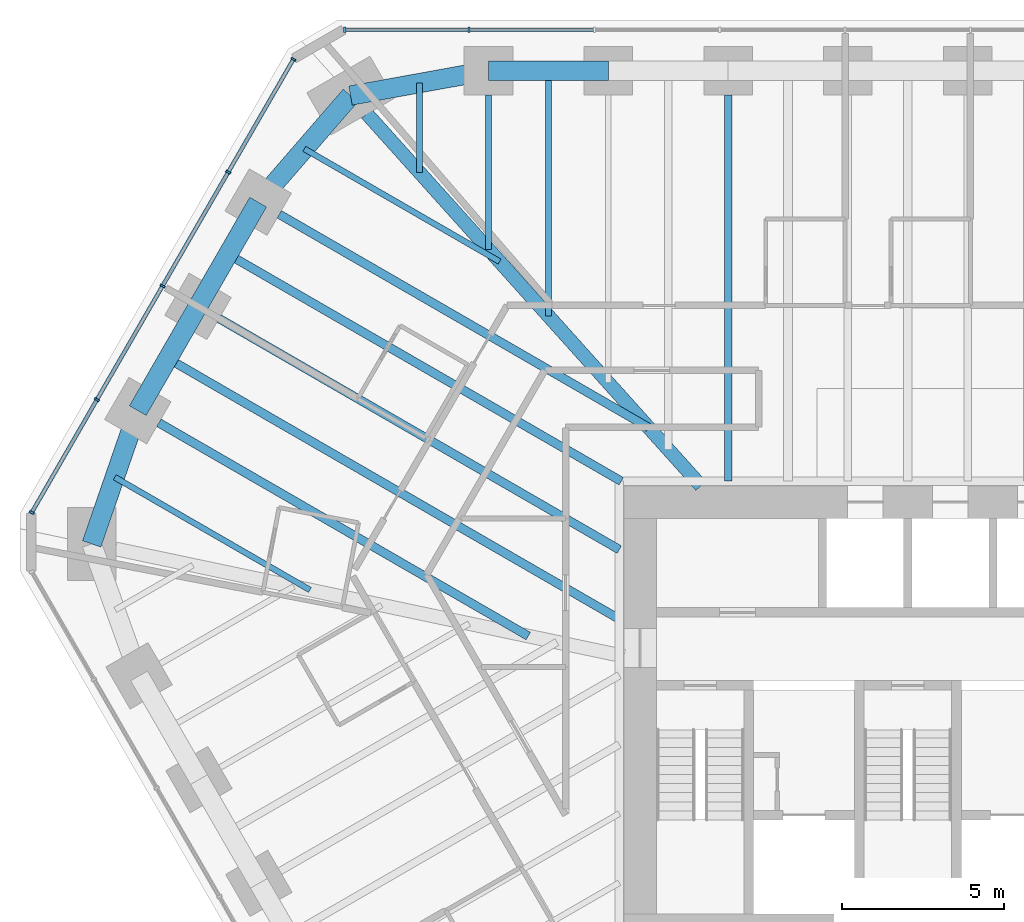
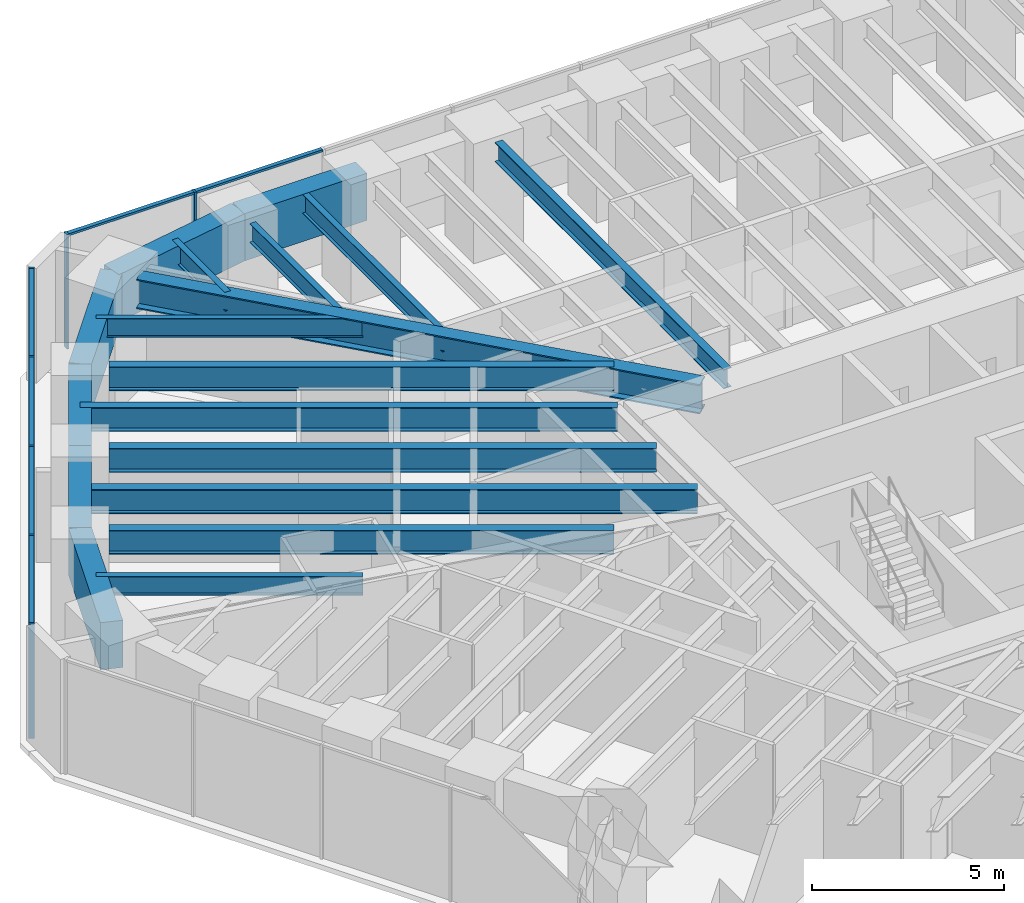
# One storey, part 7 of 16: 18 beams, 13 members, 2 elements without a shape of their own.
"""IFC4 building model written with IfcOpenShell, lengths in metres."""

from ifc_helpers import new_model, si_unit, direction, frame, origin, origin_2d, place, context, subcontext, project, spatial, rectangle, i_section, extrude, material, material_profile, profile_set, type_object, element, aggregate, save


model = new_model("IFC4")

# Units and contexts
model_context = context("Model", 3, precision=1e-05, world=origin(), true_north=direction((0.0, 1.0)))
body_context = subcontext(model_context, "Body", "Model", "MODEL_VIEW")
ifc_project = project(units=[si_unit("LENGTHUNIT", "METRE"), si_unit("AREAUNIT", "SQUARE_METRE"), si_unit("VOLUMEUNIT", "CUBIC_METRE"), si_unit("PLANEANGLEUNIT", "RADIAN"), si_unit("MASSUNIT", "GRAM", prefix="KILO")], contexts=[model_context])

# Site, building, storey
site_placement = place(None, origin())
site = spatial("IfcSite", under=ifc_project, at=site_placement, CompositionType="ELEMENT")
building_placement = place(site_placement, origin())
building = spatial("IfcBuilding", under=site, at=building_placement, Name="Sandreach Pilgrim Tower", CompositionType="ELEMENT")
storey_placement = place(building_placement, frame((0.0, 0.0, 190.800048828125)))
storey = spatial("IfcBuildingStorey", under=building, at=storey_placement, Name="L47", CompositionType="ELEMENT", Elevation=190.800048828125)

# Curtain wall, members
ifc_material_1 = material(Name="Aluminium framed curtain wall", Category="aluminium")
curtain_wall_type = type_object("IfcCurtainWallType", Name="Upper hotel tower curtain wall", PredefinedType="NOTDEFINED", material=ifc_material_1)
curtain_wall_1_placement = place(storey_placement, origin())
curtain_wall_1 = element("IfcCurtainWall", 1, at=curtain_wall_1_placement, inside=storey, type_object=curtain_wall_type, Name="CW-3 L47 N", PredefinedType="NOTDEFINED")
ifc_material_2 = material(Name="Aluminium extrusion", Category="aluminium")
ifc_material_profile_1 = material_profile(ifc_material_2, rectangle(XDim=0.06494140625, YDim=0.159912109375, at=origin_2d()), Name="CW-3M 65X160")
ifc_profile_set_1 = profile_set([ifc_material_profile_1], Name="Aluminium extrusion")
member_type_1 = type_object("IfcMemberType", Name="CW-3 mullion", PredefinedType="MULLION", material=ifc_profile_set_1)
member_1_placement = place(storey_placement, frame((-17.357421875, 21.16015625, 0.0), z_axis=(0.0, 0.0, 1.0), x_axis=(1.0, 0.0, 0.0)))
member_1 = element("IfcMember", 2, at=member_1_placement, type_object=member_type_1, Name="CW-3 mullion 1", PredefinedType="MULLION", context=body_context, shape_type="SweptSolid", body=[
    extrude(rectangle(XDim=0.06494140625, YDim=0.159912109375, at=origin_2d()), origin(), (0.0, 0.0, 1.0), 3.639892578125),
])
member_2_placement = place(storey_placement, frame((-13.525390625, 21.16015625, 0.0), z_axis=(0.0, 0.0, 1.0), x_axis=(1.0, 0.0, 0.0)))
member_2 = element("IfcMember", 3, at=member_2_placement, type_object=member_type_1, Name="CW-3 mullion 2", PredefinedType="MULLION", context=body_context, shape_type="SweptSolid", body=[
    extrude(rectangle(XDim=0.06494140625, YDim=0.159912109375, at=origin_2d()), origin(), (0.0, 0.0, 1.0), 3.639892578125),
])

curtain_wall_2_placement = place(storey_placement, origin())
curtain_wall_2 = element("IfcCurtainWall", 4, at=curtain_wall_2_placement, inside=storey, type_object=curtain_wall_type, Name="CW-3 L47 NW", PredefinedType="NOTDEFINED")
member_3_placement = place(storey_placement, frame((-27.00390625, 6.278076171875, 0.0), z_axis=(0.0, 0.0, 1.0), x_axis=(0.5, 0.866025403784, 0.0)))
member_3 = element("IfcMember", 5, at=member_3_placement, type_object=member_type_1, Name="CW-3 mullion 1", PredefinedType="MULLION", context=body_context, shape_type="SweptSolid", body=[
    extrude(rectangle(XDim=0.06494140625, YDim=0.159912109375, at=origin_2d()), origin(), (0.0, 0.0, 1.0), 3.639892578125),
])
member_4_placement = place(storey_placement, frame((-24.995849609375, 9.75634765625, 0.0), z_axis=(0.0, 0.0, 1.0), x_axis=(0.5, 0.866025403784, 0.0)))
member_4 = element("IfcMember", 6, at=member_4_placement, type_object=member_type_1, Name="CW-3 mullion 2", PredefinedType="MULLION", context=body_context, shape_type="SweptSolid", body=[
    extrude(rectangle(XDim=0.06494140625, YDim=0.159912109375, at=origin_2d()), origin(), (0.0, 0.0, 1.0), 3.639892578125),
])
member_5_placement = place(storey_placement, frame((-22.971435546875, 13.262451171875, 0.0), z_axis=(0.0, 0.0, 1.0), x_axis=(0.5, 0.866025403784, 0.0)))
member_5 = element("IfcMember", 7, at=member_5_placement, type_object=member_type_1, Name="CW-3 mullion 3", PredefinedType="MULLION", context=body_context, shape_type="SweptSolid", body=[
    extrude(rectangle(XDim=0.06494140625, YDim=0.159912109375, at=origin_2d()), origin(), (0.0, 0.0, 1.0), 3.639892578125),
])
member_6_placement = place(storey_placement, frame((-20.947021484375, 16.768798828125, 0.0), z_axis=(0.0, 0.0, 1.0), x_axis=(0.5, 0.866025403784, 0.0)))
member_6 = element("IfcMember", 8, at=member_6_placement, type_object=member_type_1, Name="CW-3 mullion 4", PredefinedType="MULLION", context=body_context, shape_type="SweptSolid", body=[
    extrude(rectangle(XDim=0.06494140625, YDim=0.159912109375, at=origin_2d()), origin(), (0.0, 0.0, 1.0), 3.639892578125),
])
member_7_placement = place(storey_placement, frame((-18.93896484375, 20.2470703125, 0.0), z_axis=(0.0, 0.0, 1.0), x_axis=(0.5, 0.866025403784, 0.0)))
member_7 = element("IfcMember", 9, at=member_7_placement, type_object=member_type_1, Name="CW-3 mullion 5", PredefinedType="MULLION", context=body_context, shape_type="SweptSolid", body=[
    extrude(rectangle(XDim=0.06494140625, YDim=0.159912109375, at=origin_2d()), origin(), (0.0, 0.0, 1.0), 3.639892578125),
])

# Member
ifc_material_3 = material(Name="Aluminium extrusion", Category="aluminium")
ifc_material_profile_2 = material_profile(ifc_material_3, rectangle(XDim=0.1201171875, YDim=0.070068359375, at=origin_2d()), Name="CW-3T 120X70")
ifc_profile_set_2 = profile_set([ifc_material_profile_2], Name="Aluminium extrusion")
member_type_2 = type_object("IfcMemberType", Name="CW-3 transom", PredefinedType="USERDEFINED", material=ifc_profile_set_2)
member_8_placement = place(storey_placement, frame((-17.324951171875, 21.16015625, 3.60498046875), z_axis=(1.0, 0.0, 0.0), x_axis=(0.0, 1.0, 0.0)))
member_8 = element("IfcMember", 10, at=member_8_placement, type_object=member_type_2, Name="CW-3 head transom 1", ObjectType="TRANSOM", PredefinedType="USERDEFINED", context=body_context, shape_type="SweptSolid", body=[
    extrude(rectangle(XDim=0.1201171875, YDim=0.070068359375, at=origin_2d()), origin(), (0.0, 0.0, 1.0), 3.76708984375),
])

member_9_placement = place(storey_placement, frame((-13.492919921875, 21.16015625, 3.60498046875), z_axis=(1.0, 0.0, 0.0), x_axis=(0.0, 1.0, 0.0)))
member_9 = element("IfcMember", 11, at=member_9_placement, type_object=member_type_2, Name="CW-3 head transom 2", ObjectType="TRANSOM", PredefinedType="USERDEFINED", context=body_context, shape_type="SweptSolid", body=[
    extrude(rectangle(XDim=0.1201171875, YDim=0.070068359375, at=origin_2d()), origin(), (0.0, 0.0, 1.0), 3.79931640625),
])

aggregate(curtain_wall_1, [member_1, member_2, member_8, member_9])

member_10_placement = place(storey_placement, frame((-26.987548828125, 6.306396484375, 3.60498046875), z_axis=(0.499993448556, 0.866029186229, 0.0), x_axis=(-0.866029186229, 0.499993448556, 0.0)))
member_10 = element("IfcMember", 12, at=member_10_placement, type_object=member_type_2, Name="CW-3 head transom 1", ObjectType="TRANSOM", PredefinedType="USERDEFINED", context=body_context, shape_type="SweptSolid", body=[
    extrude(rectangle(XDim=0.1201171875, YDim=0.070068359375, at=origin_2d()), origin(), (0.0, 0.0, 1.0), 3.951171875),
])

member_11_placement = place(storey_placement, frame((-24.9794921875, 9.784423828125, 3.60498046875), z_axis=(0.499975332564, 0.866039645067, 0.0), x_axis=(-0.866039645067, 0.499975332564, 0.0)))
member_11 = element("IfcMember", 13, at=member_11_placement, type_object=member_type_2, Name="CW-3 head transom 2", ObjectType="TRANSOM", PredefinedType="USERDEFINED", context=body_context, shape_type="SweptSolid", body=[
    extrude(rectangle(XDim=0.1201171875, YDim=0.070068359375, at=origin_2d()), origin(), (0.0, 0.0, 1.0), 3.983642578125),
])

member_12_placement = place(storey_placement, frame((-22.955078125, 13.290771484375, 3.60498046875), z_axis=(0.499975332564, 0.866039645067, 0.0), x_axis=(-0.866039645067, 0.499975332564, 0.0)))
member_12 = element("IfcMember", 14, at=member_12_placement, type_object=member_type_2, Name="CW-3 head transom 3", ObjectType="TRANSOM", PredefinedType="USERDEFINED", context=body_context, shape_type="SweptSolid", body=[
    extrude(rectangle(XDim=0.1201171875, YDim=0.070068359375, at=origin_2d()), origin(), (0.0, 0.0, 1.0), 3.983642578125),
])

member_13_placement = place(storey_placement, frame((-20.930908203125, 16.796875, 3.60498046875), z_axis=(0.499993448556, 0.866029186229, 0.0), x_axis=(-0.866029186229, 0.499993448556, 0.0)))
member_13 = element("IfcMember", 15, at=member_13_placement, type_object=member_type_2, Name="CW-3 head transom 4", ObjectType="TRANSOM", PredefinedType="USERDEFINED", context=body_context, shape_type="SweptSolid", body=[
    extrude(rectangle(XDim=0.1201171875, YDim=0.070068359375, at=origin_2d()), origin(), (0.0, 0.0, 1.0), 3.951171875),
])

aggregate(curtain_wall_2, [member_3, member_4, member_5, member_6, member_7, member_10, member_11, member_12, member_13])

# Beams
ifc_material_4 = material(Name="Steel ASTM A992 Grade 50", Category="steel")
ifc_material_profile_3 = material_profile(ifc_material_4, i_section(OverallWidth=0.421630859375, OverallDepth=0.937255859375, WebThickness=0.0224609375, FlangeThickness=0.039794921875, at=origin_2d()), Name="W36X282")
ifc_profile_set_3 = profile_set([ifc_material_profile_3], Name="Steel ASTM A992 Grade 50")
beam_type_1 = type_object("IfcBeamType", Name="Corner girder W36X282", PredefinedType="BEAM", material=ifc_profile_set_3)
beam_1_placement = place(storey_placement, frame((-16.677001953125, 18.572509765625, 3.17138671875), z_axis=(0.668116607722, -0.744056582853, 0.0), x_axis=(0.744056582853, 0.668116607722, 0.0)))
element("IfcBeam", 16, at=beam_1_placement, inside=storey, type_object=beam_type_1, Name="BM L47 CG39", PredefinedType="BEAM", context=body_context, shape_type="SweptSolid", body=[
    extrude(i_section(OverallWidth=0.421630859375, OverallDepth=0.937255859375, WebThickness=0.0224609375, FlangeThickness=0.039794921875, at=origin_2d()), origin(), (0.0, 0.0, 1.0), 15.418701171875),
])
ifc_material_5 = material(Name="Steel ASTM A992 Grade 50", Category="steel")
ifc_material_profile_4 = material_profile(ifc_material_5, i_section(OverallWidth=0.1787109375, OverallDepth=0.60205078125, WebThickness=0.010986328125, FlangeThickness=0.014892578125, at=origin_2d()), Name="W24X62")
ifc_profile_set_4 = profile_set([ifc_material_profile_4], Name="Steel ASTM A992 Grade 50")
beam_type_2 = type_object("IfcBeamType", Name="Floor beam W24X62", PredefinedType="BEAM", material=ifc_profile_set_4)
beam_2_placement = place(storey_placement, frame((-12.923828125, 19.150146484375, 3.3388671875), z_axis=(0.0, -1.0, 0.0), x_axis=(1.0, 0.0, 0.0)))
element("IfcBeam", 17, at=beam_2_placement, inside=storey, type_object=beam_type_2, Name="BM L47 F01", PredefinedType="BEAM", context=body_context, shape_type="SweptSolid", body=[
    extrude(i_section(OverallWidth=0.1787109375, OverallDepth=0.60205078125, WebThickness=0.010986328125, FlangeThickness=0.014892578125, at=origin_2d()), origin(), (0.0, 0.0, 1.0), 4.757568359375),
])
beam_3_placement = place(storey_placement, frame((-11.077392578125, 19.900146484375, 3.3388671875), z_axis=(0.0, -1.0, 0.0), x_axis=(1.0, 0.0, 0.0)))
element("IfcBeam", 18, at=beam_3_placement, inside=storey, type_object=beam_type_2, Name="BM L47 FM01", PredefinedType="BEAM", context=body_context, shape_type="SweptSolid", body=[
    extrude(i_section(OverallWidth=0.1787109375, OverallDepth=0.60205078125, WebThickness=0.010986328125, FlangeThickness=0.014892578125, at=origin_2d()), origin(), (0.0, 0.0, 1.0), 7.563720703125),
])
for number, where, z_axis, x_axis, name in (
    (19, (-24.446044921875, 7.365234375, 3.3388671875), (0.866029381593, -0.499993110171, 0.0), (0.499993110171, 0.866029381593, 0.0), "BM L47 FM35"),
    (20, (-18.6015625, 17.48828125, 3.3388671875), (0.866029381593, -0.499993110171, 0.0), (0.499993110171, 0.866029381593, 0.0), "BM L47 FM38"),
):
    element("IfcBeam", number, at=place(storey_placement, frame(where, z_axis=z_axis, x_axis=x_axis)), inside=storey, type_object=beam_type_2, Name=name, PredefinedType="BEAM", context=body_context, shape_type="SweptSolid", body=[
        extrude(i_section(OverallWidth=0.1787109375, OverallDepth=0.60205078125, WebThickness=0.010986328125, FlangeThickness=0.014892578125, at=origin_2d()), origin(), (0.0, 0.0, 1.0), 6.94921875),
    ])
beam_4_placement = place(storey_placement, frame((-15.05078125, 19.515380859375, 3.3388671875), z_axis=(0.0, -1.0, 0.0), x_axis=(1.0, 0.0, 0.0)))
element("IfcBeam", 21, at=beam_4_placement, inside=storey, type_object=beam_type_2, Name="BM L47 FM39", PredefinedType="BEAM", context=body_context, shape_type="SweptSolid", body=[
    extrude(i_section(OverallWidth=0.1787109375, OverallDepth=0.60205078125, WebThickness=0.010986328125, FlangeThickness=0.014892578125, at=origin_2d()), origin(), (0.0, 0.0, 1.0), 2.75390625),
])
ifc_material_6 = material(Name="Steel ASTM A992 Grade 50", Category="steel")
ifc_material_profile_5 = material_profile(ifc_material_6, i_section(OverallWidth=0.23046875, OverallDepth=0.6171875, WebThickness=0.01318359375, FlangeThickness=0.022216796875, at=origin_2d()), Name="W24X94")
ifc_profile_set_5 = profile_set([ifc_material_profile_5], Name="Steel ASTM A992 Grade 50")
beam_type_3 = type_object("IfcBeamType", Name="Floor beam W24X94", PredefinedType="BEAM", material=ifc_profile_set_5)
beam_5_placement = place(storey_placement, frame((-5.538818359375, 19.150146484375, 3.331298828125), z_axis=(0.0, -1.0, 0.0), x_axis=(1.0, 0.0, 0.0)))
element("IfcBeam", 22, at=beam_5_placement, inside=storey, type_object=beam_type_3, Name="BM L47 F03", PredefinedType="BEAM", context=body_context, shape_type="SweptSolid", body=[
    extrude(i_section(OverallWidth=0.23046875, OverallDepth=0.6171875, WebThickness=0.01318359375, FlangeThickness=0.022216796875, at=origin_2d()), origin(), (0.0, 0.0, 1.0), 11.90673828125),
])
ifc_material_7 = material(Name="Steel ASTM A992 Grade 50", Category="steel")
ifc_material_profile_6 = material_profile(ifc_material_7, i_section(OverallWidth=0.2666015625, OverallDepth=0.761962890625, WebThickness=0.014404296875, FlangeThickness=0.021484375, at=origin_2d()), Name="W30X116")
ifc_profile_set_6 = profile_set([ifc_material_profile_6], Name="Steel ASTM A992 Grade 50")
beam_type_4 = type_object("IfcBeamType", Name="Floor beam W30X116", PredefinedType="BEAM", material=ifc_profile_set_6)
beam_6_placement = place(storey_placement, frame((-23.0859375, 9.044189453125, 3.259033203125), z_axis=(0.866026962808, -0.499997299682, 0.0), x_axis=(0.499997299682, 0.866026962808, 0.0)))
element("IfcBeam", 23, at=beam_6_placement, inside=storey, type_object=beam_type_4, Name="BM L47 F36", PredefinedType="BEAM", context=body_context, shape_type="SweptSolid", body=[
    extrude(i_section(OverallWidth=0.2666015625, OverallDepth=0.761962890625, WebThickness=0.014404296875, FlangeThickness=0.021484375, at=origin_2d()), origin(), (0.0, 0.0, 1.0), 13.1484375),
])
beam_7_placement = place(storey_placement, frame((-21.230712890625, 12.257568359375, 3.259033203125), z_axis=(0.866024056942, -0.500002332792, 0.0), x_axis=(0.500002332792, 0.866024056942, 0.0)))
element("IfcBeam", 24, at=beam_7_placement, inside=storey, type_object=beam_type_4, Name="BM L47 F37", PredefinedType="BEAM", context=body_context, shape_type="SweptSolid", body=[
    extrude(i_section(OverallWidth=0.2666015625, OverallDepth=0.761962890625, WebThickness=0.014404296875, FlangeThickness=0.021484375, at=origin_2d()), origin(), (0.0, 0.0, 1.0), 14.24609375),
])
beam_8_placement = place(storey_placement, frame((-19.37548828125, 15.470947265625, 3.259033203125), z_axis=(0.866022320763, -0.500005339912, 0.0), x_axis=(0.500005339912, 0.866022320763, 0.0)))
element("IfcBeam", 25, at=beam_8_placement, inside=storey, type_object=beam_type_4, Name="BM L47 F38", PredefinedType="BEAM", context=body_context, shape_type="SweptSolid", body=[
    extrude(i_section(OverallWidth=0.2666015625, OverallDepth=0.761962890625, WebThickness=0.014404296875, FlangeThickness=0.021484375, at=origin_2d()), origin(), (0.0, 0.0, 1.0), 13.148193359375),
])
beam_9_placement = place(storey_placement, frame((-20.95263671875, 14.2392578125, 3.259033203125), z_axis=(0.866025770688, -0.499999364504, 0.0), x_axis=(0.499999364504, 0.866025770688, 0.0)))
element("IfcBeam", 26, at=beam_9_placement, inside=storey, type_object=beam_type_4, Name="BM L47 FM37", PredefinedType="BEAM", context=body_context, shape_type="SweptSolid", body=[
    extrude(i_section(OverallWidth=0.2666015625, OverallDepth=0.761962890625, WebThickness=0.014404296875, FlangeThickness=0.021484375, at=origin_2d()), origin(), (0.0, 0.0, 1.0), 13.99169921875),
])
ifc_material_8 = material(Name="Steel ASTM A992 Grade 50", Category="steel")
ifc_material_profile_7 = material_profile(ifc_material_8, i_section(OverallWidth=0.2666015625, OverallDepth=0.77978515625, WebThickness=0.0166015625, FlangeThickness=0.030029296875, at=origin_2d()), Name="W30X148")
ifc_profile_set_7 = profile_set([ifc_material_profile_7], Name="Steel ASTM A992 Grade 50")
beam_type_5 = type_object("IfcBeamType", Name="Floor beam W30X148", PredefinedType="BEAM", material=ifc_profile_set_7)
beam_10_placement = place(storey_placement, frame((-22.807861328125, 11.02587890625, 3.25), z_axis=(0.866028701771, -0.499994287676, 0.0), x_axis=(0.499994287676, 0.866028701771, 0.0)))
element("IfcBeam", 27, at=beam_10_placement, inside=storey, type_object=beam_type_5, Name="BM L47 FM36", PredefinedType="BEAM", context=body_context, shape_type="SweptSolid", body=[
    extrude(i_section(OverallWidth=0.2666015625, OverallDepth=0.77978515625, WebThickness=0.0166015625, FlangeThickness=0.030029296875, at=origin_2d()), origin(), (0.0, 0.0, 1.0), 16.067138671875),
])
ifc_material_9 = material(Name="Concrete 10000 psi", Category="concrete")
ifc_material_profile_8 = material_profile(ifc_material_9, rectangle(XDim=0.60009765625, YDim=1.5, at=origin_2d()), Name="RC600X1500")
ifc_profile_set_8 = profile_set([ifc_material_profile_8], Name="Concrete 10000 psi")
beam_type_6 = type_object("IfcBeamType", Name="Spandrel beam RC600X1500", PredefinedType="SPANDREL", material=ifc_profile_set_8)
beam_11_placement = place(storey_placement, frame((-12.923828125, 19.900146484375, 2.889892578125), z_axis=(1.0, 0.0, 0.0), x_axis=(0.0, 1.0, 0.0)))
element("IfcBeam", 28, at=beam_11_placement, inside=storey, type_object=beam_type_6, Name="BM L47 SP01", PredefinedType="SPANDREL", context=body_context, shape_type="SweptSolid", body=[
    extrude(rectangle(XDim=0.60009765625, YDim=1.5, at=origin_2d()), origin(), (0.0, 0.0, 1.0), 3.692626953125),
])
beam_12_placement = place(storey_placement, frame((-25.156494140625, 5.311279296875, 2.889892578125), z_axis=(0.326940800053, 0.945044820768, 0.0), x_axis=(-0.945044820768, 0.326940800053, 0.0)))
element("IfcBeam", 29, at=beam_12_placement, inside=storey, type_object=beam_type_6, Name="BM L47 SP35", PredefinedType="SPANDREL", context=body_context, shape_type="SweptSolid", body=[
    extrude(rectangle(XDim=0.60009765625, YDim=1.5, at=origin_2d()), origin(), (0.0, 0.0, 1.0), 4.3466796875),
])
for number, where, z_axis, x_axis, name in (
    (30, (-23.7353515625, 9.419189453125, 2.889892578125), (0.499946491854, 0.866056294523, 0.0), (-0.866056294523, 0.499946491854, 0.0), "BM L47 SP36"),
    (31, (-21.88037109375, 12.632568359375, 2.889892578125), (0.499995842751, 0.86602780396, 0.0), (-0.86602780396, 0.499995842751, 0.0), "BM L47 SP37"),
):
    element("IfcBeam", number, at=place(storey_placement, frame(where, z_axis=z_axis, x_axis=x_axis)), inside=storey, type_object=beam_type_6, Name=name, PredefinedType="SPANDREL", context=body_context, shape_type="SweptSolid", body=[
        extrude(rectangle(XDim=0.60009765625, YDim=1.5, at=origin_2d()), origin(), (0.0, 0.0, 1.0), 3.71044921875),
    ])
beam_13_placement = place(storey_placement, frame((-20.025146484375, 15.845947265625, 2.889892578125), z_axis=(0.65499040715, 0.755637192402, 0.0), x_axis=(-0.755637192402, 0.65499040715, 0.0)))
element("IfcBeam", 32, at=beam_13_placement, inside=storey, type_object=beam_type_6, Name="BM L47 SP38", PredefinedType="SPANDREL", context=body_context, shape_type="SweptSolid", body=[
    extrude(rectangle(XDim=0.60009765625, YDim=1.5, at=origin_2d()), origin(), (0.0, 0.0, 1.0), 4.346923828125),
])
beam_14_placement = place(storey_placement, frame((-17.177978515625, 19.130615234375, 2.889892578125), z_axis=(0.984030345637, 0.178000783326, 0.0), x_axis=(-0.178000783326, 0.984030345637, 0.0)))
element("IfcBeam", 33, at=beam_14_placement, inside=storey, type_object=beam_type_6, Name="BM L47 SP39", PredefinedType="SPANDREL", context=body_context, shape_type="SweptSolid", body=[
    extrude(rectangle(XDim=0.60009765625, YDim=1.5, at=origin_2d()), origin(), (0.0, 0.0, 1.0), 4.3232421875),
])

save(model, "model.ifc")
